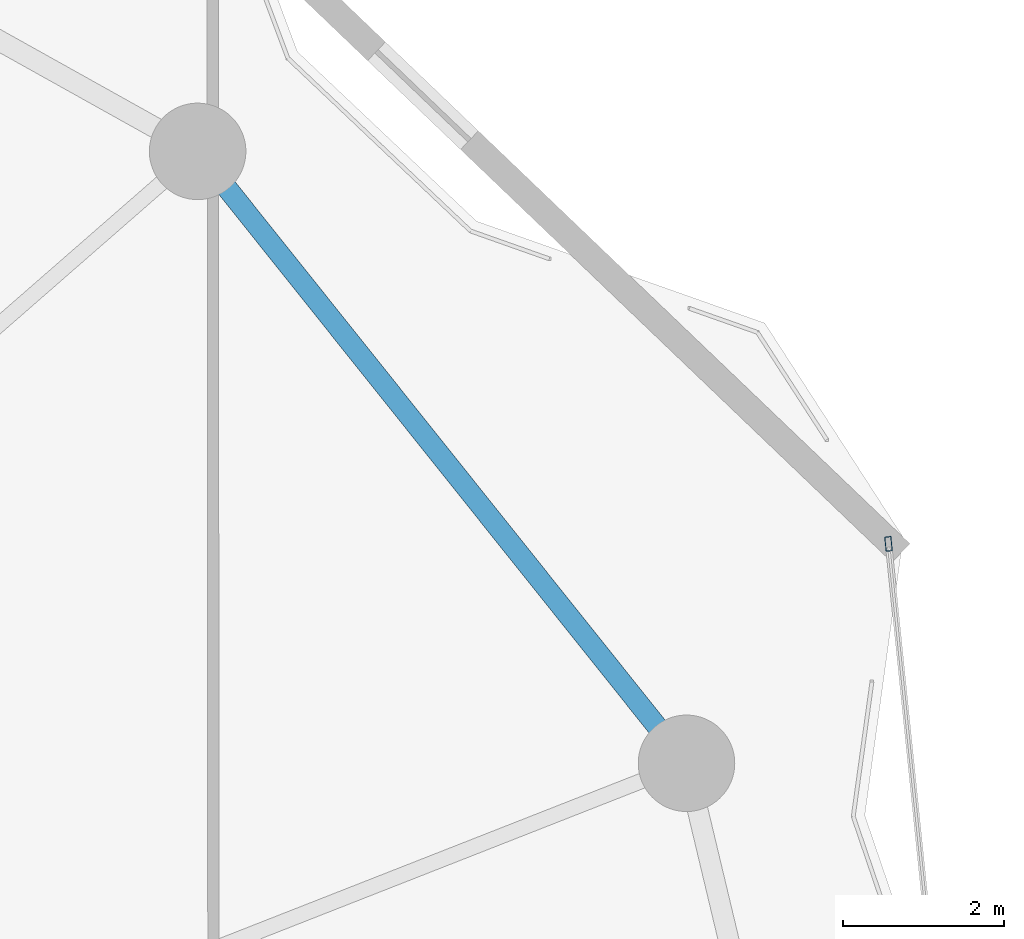
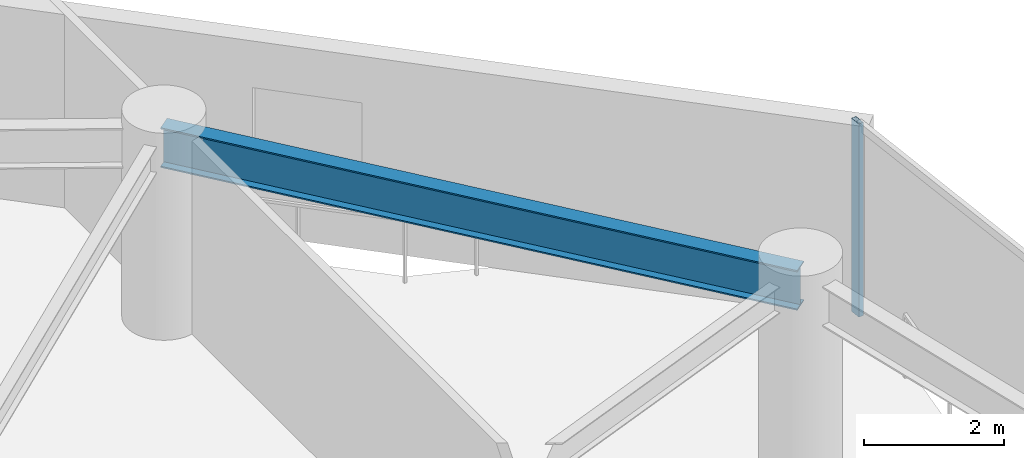
# One storey, part 23 of 30: 1 beam, 1 member, 1 element without a shape of its own.
"""IFC4 building model written with IfcOpenShell, lengths in metres."""

from ifc_helpers import new_model, si_unit, direction, frame, origin, origin_2d, place, context, subcontext, project, spatial, hollow_rectangle, i_section, extrude, material, layer, layer_set, material_profile, profile_set, type_object, element, aggregate, save


model = new_model("IFC4")

# Units and contexts
model_context = context("Model", 3, precision=1e-05, world=origin(), true_north=direction((0.0, 1.0)))
body_context = subcontext(model_context, "Body", "Model", "MODEL_VIEW")
ifc_project = project(units=[si_unit("LENGTHUNIT", "METRE"), si_unit("AREAUNIT", "SQUARE_METRE"), si_unit("VOLUMEUNIT", "CUBIC_METRE"), si_unit("PLANEANGLEUNIT", "RADIAN"), si_unit("MASSUNIT", "GRAM", prefix="KILO")], contexts=[model_context])

# Site, building, storey
site_placement = place(None, origin())
site = spatial("IfcSite", under=ifc_project, at=site_placement, CompositionType="ELEMENT")
building_placement = place(site_placement, origin())
building = spatial("IfcBuilding", under=site, at=building_placement, Name="Kazevale Care Tower and Concert Hall", CompositionType="ELEMENT")
storey_placement = place(building_placement, frame((0.0, 0.0, 113.39990234375)))
storey = spatial("IfcBuildingStorey", under=building, at=storey_placement, Name="L29", CompositionType="ELEMENT", Elevation=113.39990234375)

# Curtain wall, member
ifc_material_1 = material(Name="Aluminium 6063-T6 and Low-E Glass", Category="aluminium")
ifc_layer = layer(ifc_material_1, 0.179931640625)
ifc_layer_set = layer_set([ifc_layer], Name="Aluminium 6063-T6 and Low-E Glass")
curtain_wall_type = type_object("IfcCurtainWallType", Name="Waist & Upper Residential Curtain Wall CW-4", PredefinedType="NOTDEFINED", material=ifc_layer_set)
curtain_wall_placement = place(storey_placement, origin())
curtain_wall = element("IfcCurtainWall", 1, at=curtain_wall_placement, inside=storey, type_object=curtain_wall_type, Name="cw:L29:f18", PredefinedType="NOTDEFINED")
ifc_material_2 = material(Name="Aluminium 6063-T6", Category="aluminium")
ifc_material_profile_1 = material_profile(ifc_material_2, hollow_rectangle(XDim=0.080078125, YDim=0.179931640625, WallThickness=0.0048828125, at=origin_2d()), Name="ALU80x180x5")
ifc_profile_set_1 = profile_set([ifc_material_profile_1], Name="Aluminium 6063-T6")
member_type = type_object("IfcMemberType", Name="CW-4 Mullion ALU80x180x5", PredefinedType="MULLION", material=ifc_profile_set_1)
member_placement = place(storey_placement, frame((73.422119140625, 49.6982421875, 0.0), z_axis=(0.0, 0.0, 1.0), x_axis=(0.994797747326, 0.101869730126, 0.0)))
member = element("IfcMember", 2, at=member_placement, type_object=member_type, Name="CW-4 mullion 1", PredefinedType="MULLION", context=body_context, shape_type="SweptSolid", body=[
    extrude(hollow_rectangle(XDim=0.080078125, YDim=0.179931640625, WallThickness=0.0048828125, at=origin_2d()), origin(), (0.0, 0.0, 1.0), 3.360107421875),
])
aggregate(curtain_wall, [member])

# Beam
ifc_material_3 = material(Name="Steel ASTM A572 Gr 50", Category="steel")
ifc_material_profile_2 = material_profile(ifc_material_3, i_section(OverallWidth=0.256103515625, OverallDepth=0.693115234375, WebThickness=0.014404296875, FlangeThickness=0.023681640625, at=origin_2d()), Name="W690x170")
ifc_profile_set_2 = profile_set([ifc_material_profile_2], Name="Steel ASTM A572 Gr 50")
beam_type = type_object("IfcBeamType", Name="Waist Ring Beam W690x170", PredefinedType="BEAM", material=ifc_profile_set_2)
beam_placement = place(storey_placement, frame((70.909912109375, 46.969970703125, 3.013671875), z_axis=(-0.624178340034, 0.781281895242, 0.0), x_axis=(-0.781281895242, -0.624178340034, 0.0)))
element("IfcBeam", 3, at=beam_placement, inside=storey, type_object=beam_type, Name="beam:L29:ring:02", PredefinedType="BEAM", context=body_context, shape_type="SweptSolid", body=[
    extrude(i_section(OverallWidth=0.256103515625, OverallDepth=0.693115234375, WebThickness=0.014404296875, FlangeThickness=0.023681640625, at=origin_2d()), origin(), (0.0, 0.0, 1.0), 9.740478515625),
])

save(model, "model.ifc")
